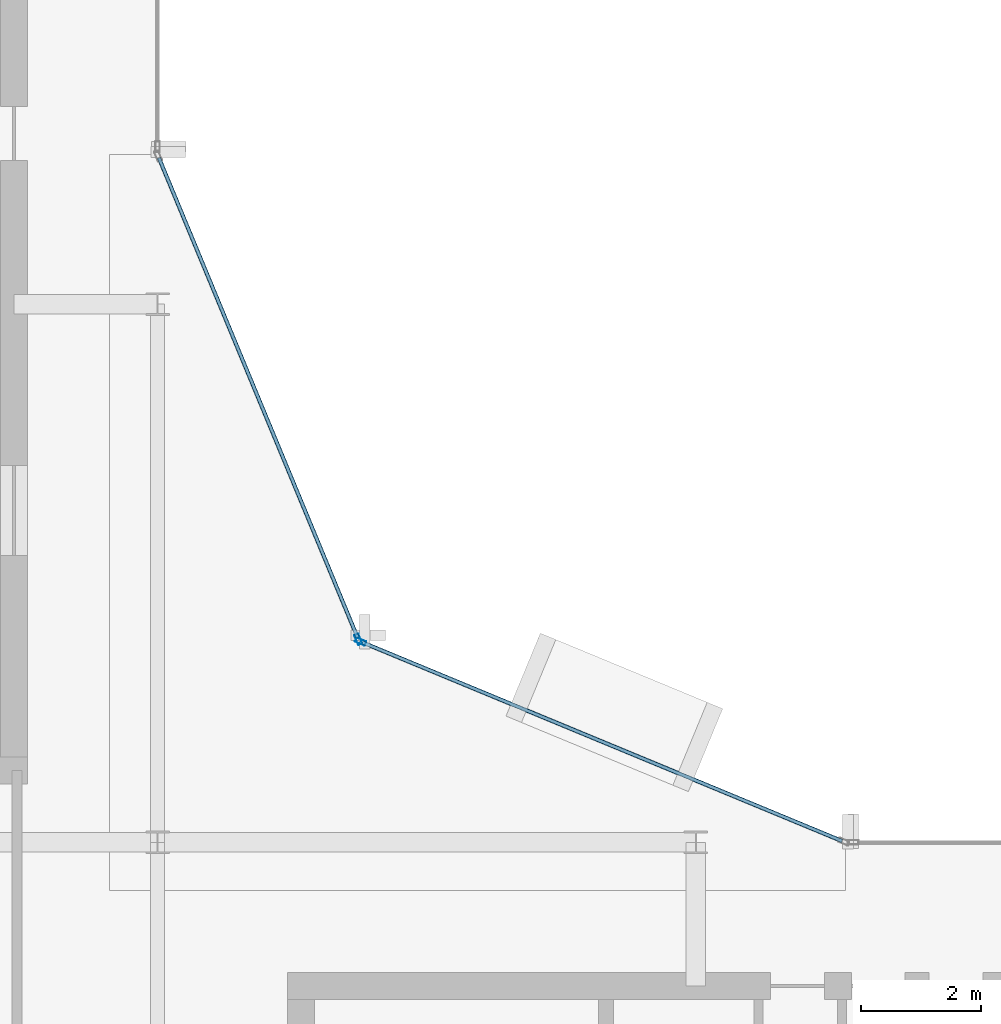
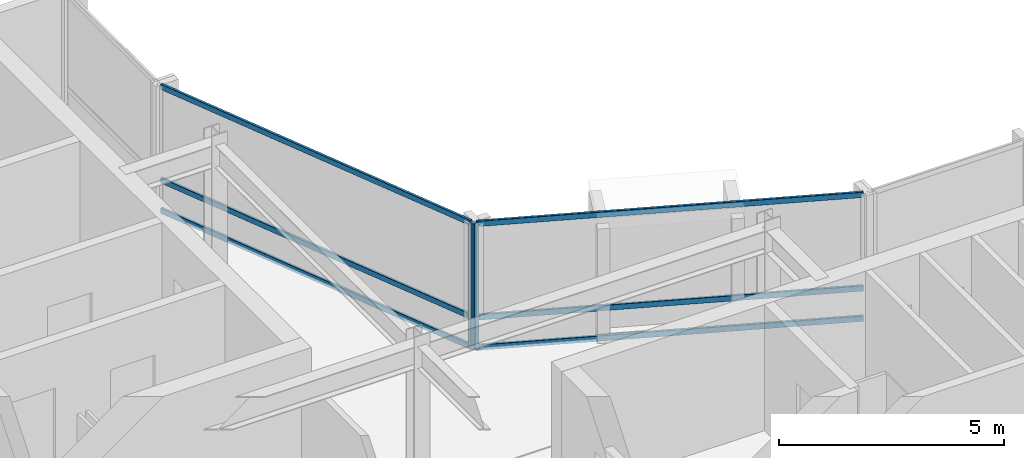
# One storey, part 8 of 19: 8 members, 2 elements without a shape of their own.
"""IFC4 building model written with IfcOpenShell, lengths in metres."""

from ifc_helpers import new_model, si_unit, direction, frame, origin, origin_2d, place, context, subcontext, project, spatial, hollow_rectangle, extrude, material, layer, layer_set, material_profile, profile_set, type_object, element, aggregate, save


model = new_model("IFC4")

# Units and contexts
model_context = context("Model", 3, precision=1e-05, world=origin(), true_north=direction((0.0, 1.0)))
body_context = subcontext(model_context, "Body", "Model", "MODEL_VIEW")
ifc_project = project(units=[si_unit("LENGTHUNIT", "METRE"), si_unit("AREAUNIT", "SQUARE_METRE"), si_unit("VOLUMEUNIT", "CUBIC_METRE"), si_unit("PLANEANGLEUNIT", "RADIAN"), si_unit("MASSUNIT", "GRAM", prefix="KILO")], contexts=[model_context])

# Site, building, storey
site_placement = place(None, origin())
site = spatial("IfcSite", under=ifc_project, at=site_placement, CompositionType="ELEMENT")
building_placement = place(site_placement, origin())
building = spatial("IfcBuilding", under=site, at=building_placement, Name="Solvaryn Broadcast Tower", CompositionType="ELEMENT")
storey_placement = place(building_placement, frame((0.0, 0.0, 274.10009765625)))
storey = spatial("IfcBuildingStorey", under=building, at=storey_placement, Name="L69", CompositionType="ELEMENT", Elevation=274.10009765625)

# Curtain wall, member
ifc_material_1 = material(Name="Aluminium and Terracotta Unitised Curtain Wall", Category="masonry")
ifc_layer = layer(ifc_material_1, 0.199951171875)
ifc_layer_set = layer_set([ifc_layer], Name="CW-SYS2-LOWMID")
curtain_wall_type = type_object("IfcCurtainWallType", Name="CW-SYS2-LOWMID", PredefinedType="NOTDEFINED", material=ifc_layer_set)
curtain_wall_1_placement = place(storey_placement, origin())
curtain_wall_1 = element("IfcCurtainWall", 1, at=curtain_wall_1_placement, inside=storey, type_object=curtain_wall_type, Name="L69 Curtain Wall CN1", PredefinedType="NOTDEFINED")
ifc_material_2 = material(Name="Anodised Aluminium 6063-T6", Category="aluminium")
ifc_material_profile_1 = material_profile(ifc_material_2, hollow_rectangle(XDim=0.074951171875, YDim=0.179931640625, WallThickness=0.00390625, InnerFilletRadius=0.00390625, OuterFilletRadius=0.008056640625, at=origin_2d()))
ifc_profile_set_1 = profile_set([ifc_material_profile_1], Name="Anodised Aluminium 6063-T6")
member_type_1 = type_object("IfcMemberType", Name="CW-MUL-180", PredefinedType="MULLION", material=ifc_profile_set_1)
member_1_placement = place(storey_placement, frame((30.395751953125, 30.3564453125, 0.0), z_axis=(0.0, 0.0, 1.0), x_axis=(-0.382646127145, -0.923894983957, 0.0)))
member_1 = element("IfcMember", 2, at=member_1_placement, type_object=member_type_1, Name="CWS2 mullion 2", PredefinedType="MULLION", context=body_context, shape_type="SweptSolid", body=[
    extrude(hollow_rectangle(XDim=0.074951171875, YDim=0.179931640625, WallThickness=0.00390625, InnerFilletRadius=0.00390625, OuterFilletRadius=0.008056640625, at=origin_2d()), origin(), (0.0, 0.0, 1.0), 3.419921875),
])

curtain_wall_2_placement = place(storey_placement, origin())
curtain_wall_2 = element("IfcCurtainWall", 3, at=curtain_wall_2_placement, inside=storey, type_object=curtain_wall_type, Name="L69 Curtain Wall CN2", PredefinedType="NOTDEFINED")
member_2_placement = place(storey_placement, frame((30.3564453125, 30.395751953125, 0.0), z_axis=(0.0, 0.0, 1.0), x_axis=(-0.923894983957, -0.382646127145, 0.0)))
member_2 = element("IfcMember", 4, at=member_2_placement, type_object=member_type_1, Name="CWS2 mullion 1", PredefinedType="MULLION", context=body_context, shape_type="SweptSolid", body=[
    extrude(hollow_rectangle(XDim=0.074951171875, YDim=0.179931640625, WallThickness=0.00390625, InnerFilletRadius=0.00390625, OuterFilletRadius=0.008056640625, at=origin_2d()), origin(), (0.0, 0.0, 1.0), 3.419921875),
])

# Member
ifc_material_3 = material(Name="Anodised Aluminium 6063-T6", Category="aluminium")
ifc_material_profile_2 = material_profile(ifc_material_3, hollow_rectangle(XDim=0.06494140625, YDim=0.14990234375, WallThickness=0.00390625, InnerFilletRadius=0.00390625, OuterFilletRadius=0.008056640625, at=origin_2d()))
ifc_profile_set_2 = profile_set([ifc_material_profile_2], Name="Anodised Aluminium 6063-T6")
member_type_2 = type_object("IfcMemberType", Name="CW-TRN-150", PredefinedType="USERDEFINED", material=ifc_profile_set_2)
member_3_placement = place(storey_placement, frame((38.444580078125, 27.02294921875, 0.02978515625), z_axis=(-0.923899282177, 0.382635748975, 0.0), x_axis=(-0.382635748975, -0.923899282177, 0.0)))
member_3 = element("IfcMember", 5, at=member_3_placement, type_object=member_type_2, Name="CWS2 transom 1.1", ObjectType="TRANSOM", PredefinedType="USERDEFINED", context=body_context, shape_type="SweptSolid", body=[
    extrude(hollow_rectangle(XDim=0.06494140625, YDim=0.14990234375, WallThickness=0.00390625, InnerFilletRadius=0.00390625, OuterFilletRadius=0.008056640625, at=origin_2d()), origin(), (0.0, 0.0, 1.0), 8.681884765625),
])

member_4_placement = place(storey_placement, frame((38.444580078125, 27.02294921875, 0.849853515625), z_axis=(-0.923899282177, 0.382635748975, 0.0), x_axis=(-0.382635748975, -0.923899282177, 0.0)))
member_4 = element("IfcMember", 6, at=member_4_placement, type_object=member_type_2, Name="CWS2 transom 1.2", ObjectType="TRANSOM", PredefinedType="USERDEFINED", context=body_context, shape_type="SweptSolid", body=[
    extrude(hollow_rectangle(XDim=0.06494140625, YDim=0.14990234375, WallThickness=0.00390625, InnerFilletRadius=0.00390625, OuterFilletRadius=0.008056640625, at=origin_2d()), origin(), (0.0, 0.0, 1.0), 8.681884765625),
])

member_5_placement = place(storey_placement, frame((38.444580078125, 27.02294921875, 3.389892578125), z_axis=(-0.923899282177, 0.382635748975, 0.0), x_axis=(-0.382635748975, -0.923899282177, 0.0)))
member_5 = element("IfcMember", 7, at=member_5_placement, type_object=member_type_2, Name="CWS2 transom 1.3", ObjectType="TRANSOM", PredefinedType="USERDEFINED", context=body_context, shape_type="SweptSolid", body=[
    extrude(hollow_rectangle(XDim=0.06494140625, YDim=0.14990234375, WallThickness=0.00390625, InnerFilletRadius=0.00390625, OuterFilletRadius=0.008056640625, at=origin_2d()), origin(), (0.0, 0.0, 1.0), 8.681884765625),
])

aggregate(curtain_wall_1, [member_1, member_3, member_4, member_5])

member_6_placement = place(storey_placement, frame((30.344970703125, 30.42333984375, 0.02978515625), z_axis=(-0.382635748975, 0.923899282177, 0.0), x_axis=(-0.923899282177, -0.382635748975, 0.0)))
member_6 = element("IfcMember", 8, at=member_6_placement, type_object=member_type_2, Name="CWS2 transom 1.1", ObjectType="TRANSOM", PredefinedType="USERDEFINED", context=body_context, shape_type="SweptSolid", body=[
    extrude(hollow_rectangle(XDim=0.06494140625, YDim=0.14990234375, WallThickness=0.00390625, InnerFilletRadius=0.00390625, OuterFilletRadius=0.008056640625, at=origin_2d()), origin(), (0.0, 0.0, 1.0), 8.681884765625),
])

member_7_placement = place(storey_placement, frame((30.344970703125, 30.42333984375, 0.849853515625), z_axis=(-0.382635748975, 0.923899282177, 0.0), x_axis=(-0.923899282177, -0.382635748975, 0.0)))
member_7 = element("IfcMember", 9, at=member_7_placement, type_object=member_type_2, Name="CWS2 transom 1.2", ObjectType="TRANSOM", PredefinedType="USERDEFINED", context=body_context, shape_type="SweptSolid", body=[
    extrude(hollow_rectangle(XDim=0.06494140625, YDim=0.14990234375, WallThickness=0.00390625, InnerFilletRadius=0.00390625, OuterFilletRadius=0.008056640625, at=origin_2d()), origin(), (0.0, 0.0, 1.0), 8.681884765625),
])

member_8_placement = place(storey_placement, frame((30.344970703125, 30.42333984375, 3.389892578125), z_axis=(-0.382635748975, 0.923899282177, 0.0), x_axis=(-0.923899282177, -0.382635748975, 0.0)))
member_8 = element("IfcMember", 10, at=member_8_placement, type_object=member_type_2, Name="CWS2 transom 1.3", ObjectType="TRANSOM", PredefinedType="USERDEFINED", context=body_context, shape_type="SweptSolid", body=[
    extrude(hollow_rectangle(XDim=0.06494140625, YDim=0.14990234375, WallThickness=0.00390625, InnerFilletRadius=0.00390625, OuterFilletRadius=0.008056640625, at=origin_2d()), origin(), (0.0, 0.0, 1.0), 8.681884765625),
])

aggregate(curtain_wall_2, [member_2, member_6, member_7, member_8])

save(model, "model.ifc")
